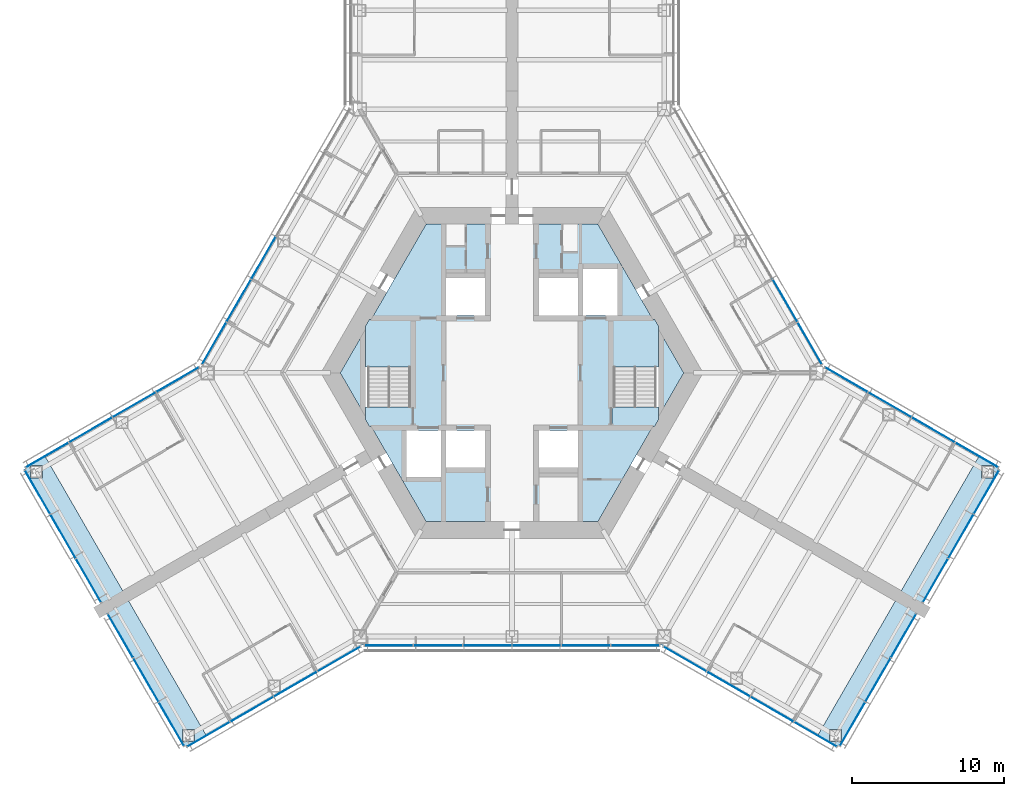
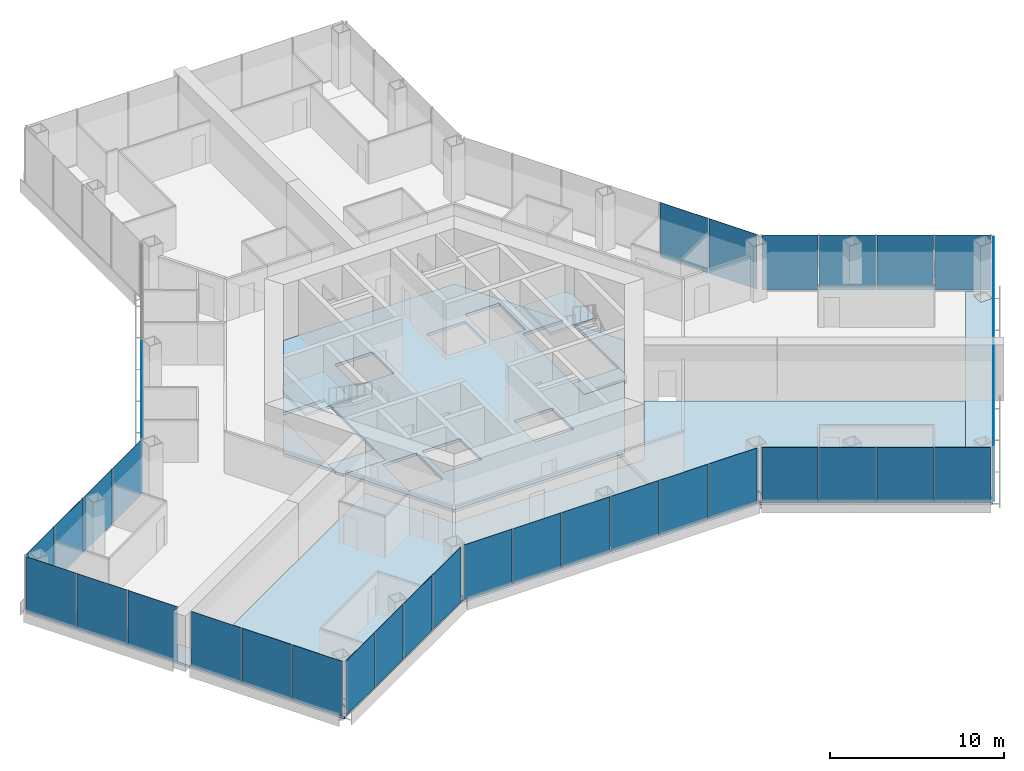
# One storey, part 10 of 18: 39 plates, 10 slabs, 13 elements without a shape of their own.
"""IFC4 building model written with IfcOpenShell, lengths in metres."""

from ifc_helpers import new_model, si_unit, direction, frame, origin, origin_2d, place, context, subcontext, project, spatial, polyline, rectangle, outline, extrude, material, layer, layer_set, type_object, element, aggregate, save


model = new_model("IFC4")

# Units and contexts
model_context = context("Model", 3, precision=1e-05, world=origin(), true_north=direction((0.0, 1.0)))
body_context = subcontext(model_context, "Body", "Model", "MODEL_VIEW")
ifc_project = project(units=[si_unit("LENGTHUNIT", "METRE"), si_unit("AREAUNIT", "SQUARE_METRE"), si_unit("VOLUMEUNIT", "CUBIC_METRE"), si_unit("PLANEANGLEUNIT", "RADIAN"), si_unit("MASSUNIT", "GRAM", prefix="KILO")], contexts=[model_context])

# Site, building, storey
site_placement = place(None, origin())
site = spatial("IfcSite", under=ifc_project, at=site_placement, CompositionType="ELEMENT")
building_placement = place(site_placement, origin())
building = spatial("IfcBuilding", under=site, at=building_placement, Name="Kasaneha Research Tower", CompositionType="ELEMENT")
storey_placement = place(building_placement, frame((0.0, 0.0, 61.199951171875)))
storey = spatial("IfcBuildingStorey", under=building, at=storey_placement, Name="L15", CompositionType="ELEMENT", Elevation=61.199951171875)

# Curtain wall, plates
ifc_material_1 = material(Name="Glass and aluminium", Category="aluminium")
curtain_wall_type = type_object("IfcCurtainWallType", Name="Low-rise office curtain wall", PredefinedType="USERDEFINED", material=ifc_material_1)
curtain_wall_1_placement = place(storey_placement, origin())
curtain_wall_1 = element("IfcCurtainWall", 1, at=curtain_wall_1_placement, inside=storey, type_object=curtain_wall_type, Name="CW-O1 L15 run 01a", ObjectType="UNITISED CURTAIN WALL", PredefinedType="USERDEFINED")
ifc_material_2 = material(Name="Laminated double glazing", Category="glass")
ifc_layer_1 = layer(ifc_material_2, 0.028076171875)
ifc_layer_set_1 = layer_set([ifc_layer_1], Name="CW-O1 glazed panel")
plate_type = type_object("IfcPlateType", Name="CW-O1 glazed panel", PredefinedType="CURTAIN_PANEL", material=ifc_layer_set_1)
plate_1_placement = place(storey_placement, frame((-19.945068359375, -23.755126953125, 0.06005859375), z_axis=(0.0, 0.0, 1.0), x_axis=(0.866025411464, 0.499999986699, 0.0)))
plate_1 = element("IfcPlate", 2, at=plate_1_placement, type_object=plate_type, Name="CW-O1 panel 1", PredefinedType="CURTAIN_PANEL", context=body_context, shape_type="SweptSolid", body=[
    extrude(rectangle(XDim=3.2197265625, YDim=0.028076171875, at=origin_2d()), origin(), (0.0, 0.0, 1.0), 3.840087890625),
])
plate_2_placement = place(storey_placement, frame((-17.091796875, -22.107666015625, 0.06005859375), z_axis=(0.0, 0.0, 1.0), x_axis=(0.866025411464, 0.499999986699, 0.0)))
plate_2 = element("IfcPlate", 3, at=plate_2_placement, type_object=plate_type, Name="CW-O1 panel 2", PredefinedType="CURTAIN_PANEL", context=body_context, shape_type="SweptSolid", body=[
    extrude(rectangle(XDim=3.249755859375, YDim=0.028076171875, at=origin_2d()), origin(), (0.0, 0.0, 1.0), 3.840087890625),
])
plate_3_placement = place(storey_placement, frame((-14.225341796875, -20.452880859375, 0.06005859375), z_axis=(0.0, 0.0, 1.0), x_axis=(0.866025411464, 0.499999986699, 0.0)))
plate_3 = element("IfcPlate", 4, at=plate_3_placement, type_object=plate_type, Name="CW-O1 panel 3", PredefinedType="CURTAIN_PANEL", context=body_context, shape_type="SweptSolid", body=[
    extrude(rectangle(XDim=3.249755859375, YDim=0.028076171875, at=origin_2d()), origin(), (0.0, 0.0, 1.0), 3.840087890625),
])
plate_4_placement = place(storey_placement, frame((-11.3720703125, -18.805419921875, 0.06005859375), z_axis=(0.0, 0.0, 1.0), x_axis=(0.866025411464, 0.499999986699, 0.0)))
plate_4 = element("IfcPlate", 5, at=plate_4_placement, type_object=plate_type, Name="CW-O1 panel 4", PredefinedType="CURTAIN_PANEL", context=body_context, shape_type="SweptSolid", body=[
    extrude(rectangle(XDim=3.2197265625, YDim=0.028076171875, at=origin_2d()), origin(), (0.0, 0.0, 1.0), 3.840087890625),
])
aggregate(curtain_wall_1, [plate_1, plate_2, plate_3, plate_4])

curtain_wall_2_placement = place(storey_placement, origin())
curtain_wall_2 = element("IfcCurtainWall", 6, at=curtain_wall_2_placement, inside=storey, type_object=curtain_wall_type, Name="CW-O1 L15 run 02a", ObjectType="UNITISED CURTAIN WALL", PredefinedType="USERDEFINED")
plate_5_placement = place(storey_placement, frame((-8.10107421875, -17.92041015625, 0.06005859375), z_axis=(0.0, 0.0, 1.0), x_axis=(1.0, 0.0, 0.0)))
plate_5 = element("IfcPlate", 7, at=plate_5_placement, type_object=plate_type, Name="CW-O1 panel 1", PredefinedType="CURTAIN_PANEL", context=body_context, shape_type="SweptSolid", body=[
    extrude(rectangle(XDim=3.156494140625, YDim=0.028076171875, at=origin_2d()), origin(), (0.0, 0.0, 1.0), 3.840087890625),
])
plate_6_placement = place(storey_placement, frame((-4.86962890625, -17.92041015625, 0.06005859375), z_axis=(0.0, 0.0, 1.0), x_axis=(1.0, 0.0, 0.0)))
plate_6 = element("IfcPlate", 8, at=plate_6_placement, type_object=plate_type, Name="CW-O1 panel 2", PredefinedType="CURTAIN_PANEL", context=body_context, shape_type="SweptSolid", body=[
    extrude(rectangle(XDim=3.1865234375, YDim=0.028076171875, at=origin_2d()), origin(), (0.0, 0.0, 1.0), 3.840087890625),
])
plate_7_placement = place(storey_placement, frame((-1.623291015625, -17.92041015625, 0.06005859375), z_axis=(0.0, 0.0, 1.0), x_axis=(1.0, 0.0, 0.0)))
plate_7 = element("IfcPlate", 9, at=plate_7_placement, type_object=plate_type, Name="CW-O1 panel 3", PredefinedType="CURTAIN_PANEL", context=body_context, shape_type="SweptSolid", body=[
    extrude(rectangle(XDim=3.1865234375, YDim=0.028076171875, at=origin_2d()), origin(), (0.0, 0.0, 1.0), 3.840087890625),
])
plate_8_placement = place(storey_placement, frame((1.623291015625, -17.92041015625, 0.06005859375), z_axis=(0.0, 0.0, 1.0), x_axis=(1.0, 0.0, 0.0)))
plate_8 = element("IfcPlate", 10, at=plate_8_placement, type_object=plate_type, Name="CW-O1 panel 4", PredefinedType="CURTAIN_PANEL", context=body_context, shape_type="SweptSolid", body=[
    extrude(rectangle(XDim=3.1865234375, YDim=0.028076171875, at=origin_2d()), origin(), (0.0, 0.0, 1.0), 3.840087890625),
])
plate_9_placement = place(storey_placement, frame((4.86962890625, -17.92041015625, 0.06005859375), z_axis=(0.0, 0.0, 1.0), x_axis=(1.0, 0.0, 0.0)))
plate_9 = element("IfcPlate", 11, at=plate_9_placement, type_object=plate_type, Name="CW-O1 panel 5", PredefinedType="CURTAIN_PANEL", context=body_context, shape_type="SweptSolid", body=[
    extrude(rectangle(XDim=3.1865234375, YDim=0.028076171875, at=origin_2d()), origin(), (0.0, 0.0, 1.0), 3.840087890625),
])
plate_10_placement = place(storey_placement, frame((8.10107421875, -17.92041015625, 0.06005859375), z_axis=(0.0, 0.0, 1.0), x_axis=(1.0, 0.0, 0.0)))
plate_10 = element("IfcPlate", 12, at=plate_10_placement, type_object=plate_type, Name="CW-O1 panel 6", PredefinedType="CURTAIN_PANEL", context=body_context, shape_type="SweptSolid", body=[
    extrude(rectangle(XDim=3.156494140625, YDim=0.028076171875, at=origin_2d()), origin(), (0.0, 0.0, 1.0), 3.840087890625),
])
aggregate(curtain_wall_2, [plate_5, plate_6, plate_7, plate_8, plate_9, plate_10])

curtain_wall_3_placement = place(storey_placement, origin())
curtain_wall_3 = element("IfcCurtainWall", 13, at=curtain_wall_3_placement, inside=storey, type_object=curtain_wall_type, Name="CW-O1 L15 run 03a", ObjectType="UNITISED CURTAIN WALL", PredefinedType="USERDEFINED")
plate_11_placement = place(storey_placement, frame((11.3720703125, -18.805419921875, 0.06005859375), z_axis=(0.0, 0.0, 1.0), x_axis=(0.866025411464, -0.499999986699, 0.0)))
plate_11 = element("IfcPlate", 14, at=plate_11_placement, type_object=plate_type, Name="CW-O1 panel 1", PredefinedType="CURTAIN_PANEL", context=body_context, shape_type="SweptSolid", body=[
    extrude(rectangle(XDim=3.2197265625, YDim=0.028076171875, at=origin_2d()), origin(), (0.0, 0.0, 1.0), 3.840087890625),
])
plate_12_placement = place(storey_placement, frame((14.225341796875, -20.452880859375, 0.06005859375), z_axis=(0.0, 0.0, 1.0), x_axis=(0.866025411464, -0.499999986699, 0.0)))
plate_12 = element("IfcPlate", 15, at=plate_12_placement, type_object=plate_type, Name="CW-O1 panel 2", PredefinedType="CURTAIN_PANEL", context=body_context, shape_type="SweptSolid", body=[
    extrude(rectangle(XDim=3.249755859375, YDim=0.028076171875, at=origin_2d()), origin(), (0.0, 0.0, 1.0), 3.840087890625),
])
plate_13_placement = place(storey_placement, frame((17.091796875, -22.107666015625, 0.06005859375), z_axis=(0.0, 0.0, 1.0), x_axis=(0.866025411464, -0.499999986699, 0.0)))
plate_13 = element("IfcPlate", 16, at=plate_13_placement, type_object=plate_type, Name="CW-O1 panel 3", PredefinedType="CURTAIN_PANEL", context=body_context, shape_type="SweptSolid", body=[
    extrude(rectangle(XDim=3.249755859375, YDim=0.028076171875, at=origin_2d()), origin(), (0.0, 0.0, 1.0), 3.840087890625),
])
plate_14_placement = place(storey_placement, frame((19.945068359375, -23.755126953125, 0.06005859375), z_axis=(0.0, 0.0, 1.0), x_axis=(0.866025411464, -0.499999986699, 0.0)))
plate_14 = element("IfcPlate", 17, at=plate_14_placement, type_object=plate_type, Name="CW-O1 panel 4", PredefinedType="CURTAIN_PANEL", context=body_context, shape_type="SweptSolid", body=[
    extrude(rectangle(XDim=3.2197265625, YDim=0.028076171875, at=origin_2d()), origin(), (0.0, 0.0, 1.0), 3.840087890625),
])
aggregate(curtain_wall_3, [plate_11, plate_12, plate_13, plate_14])

curtain_wall_4_placement = place(storey_placement, origin())
curtain_wall_4 = element("IfcCurtainWall", 18, at=curtain_wall_4_placement, inside=storey, type_object=curtain_wall_type, Name="CW-O1 L15 run 04a", ObjectType="UNITISED CURTAIN WALL", PredefinedType="USERDEFINED")
plate_15_placement = place(storey_placement, frame((22.377197265625, -23.082763671875, 0.06005859375), z_axis=(0.0, 0.0, 1.0), x_axis=(0.500000011442, 0.866025397178, 0.0)))
plate_15 = element("IfcPlate", 19, at=plate_15_placement, type_object=plate_type, Name="CW-O1 panel 1", PredefinedType="CURTAIN_PANEL", context=body_context, shape_type="SweptSolid", body=[
    extrude(rectangle(XDim=3.276611328125, YDim=0.028076171875, at=origin_2d()), origin(), (0.0, 0.0, 1.0), 3.840087890625),
])
plate_16_placement = place(storey_placement, frame((24.052978515625, -20.18017578125, 0.06005859375), z_axis=(0.0, 0.0, 1.0), x_axis=(0.500000011442, 0.866025397178, 0.0)))
plate_16 = element("IfcPlate", 20, at=plate_16_placement, type_object=plate_type, Name="CW-O1 panel 2", PredefinedType="CURTAIN_PANEL", context=body_context, shape_type="SweptSolid", body=[
    extrude(rectangle(XDim=3.306640625, YDim=0.028076171875, at=origin_2d()), origin(), (0.0, 0.0, 1.0), 3.840087890625),
])
plate_17_placement = place(storey_placement, frame((25.728759765625, -17.27734375, 0.06005859375), z_axis=(0.0, 0.0, 1.0), x_axis=(0.500000011442, 0.866025397178, 0.0)))
plate_17 = element("IfcPlate", 21, at=plate_17_placement, type_object=plate_type, Name="CW-O1 panel 3", PredefinedType="CURTAIN_PANEL", context=body_context, shape_type="SweptSolid", body=[
    extrude(rectangle(XDim=3.276611328125, YDim=0.028076171875, at=origin_2d()), origin(), (0.0, 0.0, 1.0), 3.840087890625),
])
aggregate(curtain_wall_4, [plate_15, plate_16, plate_17])

curtain_wall_5_placement = place(storey_placement, origin())
curtain_wall_5 = element("IfcCurtainWall", 22, at=curtain_wall_5_placement, inside=storey, type_object=curtain_wall_type, Name="CW-O1 L15 run 05a", ObjectType="UNITISED CURTAIN WALL", PredefinedType="USERDEFINED")
plate_18_placement = place(storey_placement, frame((27.8271484375, -13.64306640625, 0.06005859375), z_axis=(0.0, 0.0, 1.0), x_axis=(0.500000011442, 0.866025397178, 0.0)))
plate_18 = element("IfcPlate", 23, at=plate_18_placement, type_object=plate_type, Name="CW-O1 panel 1", PredefinedType="CURTAIN_PANEL", context=body_context, shape_type="SweptSolid", body=[
    extrude(rectangle(XDim=3.276611328125, YDim=0.028076171875, at=origin_2d()), origin(), (0.0, 0.0, 1.0), 3.840087890625),
])
plate_19_placement = place(storey_placement, frame((29.5029296875, -10.740478515625, 0.06005859375), z_axis=(0.0, 0.0, 1.0), x_axis=(0.500000011442, 0.866025397178, 0.0)))
plate_19 = element("IfcPlate", 24, at=plate_19_placement, type_object=plate_type, Name="CW-O1 panel 2", PredefinedType="CURTAIN_PANEL", context=body_context, shape_type="SweptSolid", body=[
    extrude(rectangle(XDim=3.306640625, YDim=0.028076171875, at=origin_2d()), origin(), (0.0, 0.0, 1.0), 3.840087890625),
])
plate_20_placement = place(storey_placement, frame((31.1787109375, -7.837890625, 0.06005859375), z_axis=(0.0, 0.0, 1.0), x_axis=(0.500000011442, 0.866025397178, 0.0)))
plate_20 = element("IfcPlate", 25, at=plate_20_placement, type_object=plate_type, Name="CW-O1 panel 3", PredefinedType="CURTAIN_PANEL", context=body_context, shape_type="SweptSolid", body=[
    extrude(rectangle(XDim=3.276611328125, YDim=0.028076171875, at=origin_2d()), origin(), (0.0, 0.0, 1.0), 3.840087890625),
])
aggregate(curtain_wall_5, [plate_18, plate_19, plate_20])

curtain_wall_6_placement = place(storey_placement, origin())
curtain_wall_6 = element("IfcCurtainWall", 26, at=curtain_wall_6_placement, inside=storey, type_object=curtain_wall_type, Name="CW-O1 L15 run 06a", ObjectType="UNITISED CURTAIN WALL", PredefinedType="USERDEFINED")
plate_21_placement = place(storey_placement, frame((30.545166015625, -5.3955078125, 0.06005859375), z_axis=(0.0, 0.0, 1.0), x_axis=(-0.866025411464, 0.499999986699, 0.0)))
plate_21 = element("IfcPlate", 27, at=plate_21_placement, type_object=plate_type, Name="CW-O1 panel 1", PredefinedType="CURTAIN_PANEL", context=body_context, shape_type="SweptSolid", body=[
    extrude(rectangle(XDim=3.2197265625, YDim=0.028076171875, at=origin_2d()), origin(), (0.0, 0.0, 1.0), 3.840087890625),
])
plate_22_placement = place(storey_placement, frame((27.69189453125, -3.748046875, 0.06005859375), z_axis=(0.0, 0.0, 1.0), x_axis=(-0.866025411464, 0.499999986699, 0.0)))
plate_22 = element("IfcPlate", 28, at=plate_22_placement, type_object=plate_type, Name="CW-O1 panel 2", PredefinedType="CURTAIN_PANEL", context=body_context, shape_type="SweptSolid", body=[
    extrude(rectangle(XDim=3.249755859375, YDim=0.028076171875, at=origin_2d()), origin(), (0.0, 0.0, 1.0), 3.840087890625),
])
plate_23_placement = place(storey_placement, frame((24.825439453125, -2.093017578125, 0.06005859375), z_axis=(0.0, 0.0, 1.0), x_axis=(-0.866025411464, 0.499999986699, 0.0)))
plate_23 = element("IfcPlate", 29, at=plate_23_placement, type_object=plate_type, Name="CW-O1 panel 3", PredefinedType="CURTAIN_PANEL", context=body_context, shape_type="SweptSolid", body=[
    extrude(rectangle(XDim=3.249755859375, YDim=0.028076171875, at=origin_2d()), origin(), (0.0, 0.0, 1.0), 3.840087890625),
])
plate_24_placement = place(storey_placement, frame((21.971923828125, -0.44580078125, 0.06005859375), z_axis=(0.0, 0.0, 1.0), x_axis=(-0.866025411464, 0.499999986699, 0.0)))
plate_24 = element("IfcPlate", 30, at=plate_24_placement, type_object=plate_type, Name="CW-O1 panel 4", PredefinedType="CURTAIN_PANEL", context=body_context, shape_type="SweptSolid", body=[
    extrude(rectangle(XDim=3.2197265625, YDim=0.028076171875, at=origin_2d()), origin(), (0.0, 0.0, 1.0), 3.840087890625),
])
aggregate(curtain_wall_6, [plate_21, plate_22, plate_23, plate_24])

curtain_wall_7_placement = place(storey_placement, origin())
curtain_wall_7 = element("IfcCurtainWall", 31, at=curtain_wall_7_placement, inside=storey, type_object=curtain_wall_type, Name="CW-O1 L15 run 07a", ObjectType="UNITISED CURTAIN WALL", PredefinedType="USERDEFINED")
plate_25_placement = place(storey_placement, frame((19.570068359375, 1.944580078125, 0.06005859375), z_axis=(0.0, 0.0, 1.0), x_axis=(-0.49999996188, 0.866025425793, 0.0)))
plate_25 = element("IfcPlate", 32, at=plate_25_placement, type_object=plate_type, Name="CW-O1 panel 1", PredefinedType="CURTAIN_PANEL", context=body_context, shape_type="SweptSolid", body=[
    extrude(rectangle(XDim=3.156494140625, YDim=0.028076171875, at=origin_2d()), origin(), (0.0, 0.0, 1.0), 3.840087890625),
])
plate_26_placement = place(storey_placement, frame((17.954345703125, 4.7431640625, 0.06005859375), z_axis=(0.0, 0.0, 1.0), x_axis=(-0.49999996188, 0.866025425793, 0.0)))
plate_26 = element("IfcPlate", 33, at=plate_26_placement, type_object=plate_type, Name="CW-O1 panel 2", PredefinedType="CURTAIN_PANEL", context=body_context, shape_type="SweptSolid", body=[
    extrude(rectangle(XDim=3.1865234375, YDim=0.028076171875, at=origin_2d()), origin(), (0.0, 0.0, 1.0), 3.840087890625),
])
aggregate(curtain_wall_7, [plate_25, plate_26])

curtain_wall_8_placement = place(storey_placement, origin())
curtain_wall_8 = element("IfcCurtainWall", 34, at=curtain_wall_8_placement, inside=storey, type_object=curtain_wall_type, Name="CW-O1 L15 run 12a", ObjectType="UNITISED CURTAIN WALL", PredefinedType="USERDEFINED")
plate_27_placement = place(storey_placement, frame((-16.331298828125, 7.554443359375, 0.06005859375), z_axis=(0.0, 0.0, 1.0), x_axis=(-0.49999996188, -0.866025425793, 0.0)))
plate_27 = element("IfcPlate", 35, at=plate_27_placement, type_object=plate_type, Name="CW-O1 panel 4", PredefinedType="CURTAIN_PANEL", context=body_context, shape_type="SweptSolid", body=[
    extrude(rectangle(XDim=3.1865234375, YDim=0.028076171875, at=origin_2d()), origin(), (0.0, 0.0, 1.0), 3.840087890625),
])
plate_28_placement = place(storey_placement, frame((-17.954345703125, 4.7431640625, 0.06005859375), z_axis=(0.0, 0.0, 1.0), x_axis=(-0.49999996188, -0.866025425793, 0.0)))
plate_28 = element("IfcPlate", 36, at=plate_28_placement, type_object=plate_type, Name="CW-O1 panel 5", PredefinedType="CURTAIN_PANEL", context=body_context, shape_type="SweptSolid", body=[
    extrude(rectangle(XDim=3.1865234375, YDim=0.028076171875, at=origin_2d()), origin(), (0.0, 0.0, 1.0), 3.840087890625),
])
plate_29_placement = place(storey_placement, frame((-19.570068359375, 1.944580078125, 0.06005859375), z_axis=(0.0, 0.0, 1.0), x_axis=(-0.49999996188, -0.866025425793, 0.0)))
plate_29 = element("IfcPlate", 37, at=plate_29_placement, type_object=plate_type, Name="CW-O1 panel 6", PredefinedType="CURTAIN_PANEL", context=body_context, shape_type="SweptSolid", body=[
    extrude(rectangle(XDim=3.156494140625, YDim=0.028076171875, at=origin_2d()), origin(), (0.0, 0.0, 1.0), 3.840087890625),
])
aggregate(curtain_wall_8, [plate_27, plate_28, plate_29])

curtain_wall_9_placement = place(storey_placement, origin())
curtain_wall_9 = element("IfcCurtainWall", 38, at=curtain_wall_9_placement, inside=storey, type_object=curtain_wall_type, Name="CW-O1 L15 run 13a", ObjectType="UNITISED CURTAIN WALL", PredefinedType="USERDEFINED")
plate_30_placement = place(storey_placement, frame((-21.971923828125, -0.44580078125, 0.06005859375), z_axis=(0.0, 0.0, 1.0), x_axis=(-0.866025411464, -0.499999986699, 0.0)))
plate_30 = element("IfcPlate", 39, at=plate_30_placement, type_object=plate_type, Name="CW-O1 panel 1", PredefinedType="CURTAIN_PANEL", context=body_context, shape_type="SweptSolid", body=[
    extrude(rectangle(XDim=3.2197265625, YDim=0.028076171875, at=origin_2d()), origin(), (0.0, 0.0, 1.0), 3.840087890625),
])
plate_31_placement = place(storey_placement, frame((-24.825439453125, -2.093017578125, 0.06005859375), z_axis=(0.0, 0.0, 1.0), x_axis=(-0.866025411464, -0.499999986699, 0.0)))
plate_31 = element("IfcPlate", 40, at=plate_31_placement, type_object=plate_type, Name="CW-O1 panel 2", PredefinedType="CURTAIN_PANEL", context=body_context, shape_type="SweptSolid", body=[
    extrude(rectangle(XDim=3.249755859375, YDim=0.028076171875, at=origin_2d()), origin(), (0.0, 0.0, 1.0), 3.840087890625),
])
plate_32_placement = place(storey_placement, frame((-27.69189453125, -3.748046875, 0.06005859375), z_axis=(0.0, 0.0, 1.0), x_axis=(-0.866025411464, -0.499999986699, 0.0)))
plate_32 = element("IfcPlate", 41, at=plate_32_placement, type_object=plate_type, Name="CW-O1 panel 3", PredefinedType="CURTAIN_PANEL", context=body_context, shape_type="SweptSolid", body=[
    extrude(rectangle(XDim=3.249755859375, YDim=0.028076171875, at=origin_2d()), origin(), (0.0, 0.0, 1.0), 3.840087890625),
])
plate_33_placement = place(storey_placement, frame((-30.545166015625, -5.3955078125, 0.06005859375), z_axis=(0.0, 0.0, 1.0), x_axis=(-0.866025411464, -0.499999986699, 0.0)))
plate_33 = element("IfcPlate", 42, at=plate_33_placement, type_object=plate_type, Name="CW-O1 panel 4", PredefinedType="CURTAIN_PANEL", context=body_context, shape_type="SweptSolid", body=[
    extrude(rectangle(XDim=3.2197265625, YDim=0.028076171875, at=origin_2d()), origin(), (0.0, 0.0, 1.0), 3.840087890625),
])
aggregate(curtain_wall_9, [plate_30, plate_31, plate_32, plate_33])

curtain_wall_10_placement = place(storey_placement, origin())
curtain_wall_10 = element("IfcCurtainWall", 43, at=curtain_wall_10_placement, inside=storey, type_object=curtain_wall_type, Name="CW-O1 L15 run 14a", ObjectType="UNITISED CURTAIN WALL", PredefinedType="USERDEFINED")
plate_34_placement = place(storey_placement, frame((-31.1787109375, -7.837890625, 0.06005859375), z_axis=(0.0, 0.0, 1.0), x_axis=(0.500000011442, -0.866025397178, 0.0)))
plate_34 = element("IfcPlate", 44, at=plate_34_placement, type_object=plate_type, Name="CW-O1 panel 1", PredefinedType="CURTAIN_PANEL", context=body_context, shape_type="SweptSolid", body=[
    extrude(rectangle(XDim=3.276611328125, YDim=0.028076171875, at=origin_2d()), origin(), (0.0, 0.0, 1.0), 3.840087890625),
])
plate_35_placement = place(storey_placement, frame((-29.5029296875, -10.740478515625, 0.06005859375), z_axis=(0.0, 0.0, 1.0), x_axis=(0.500000011442, -0.866025397178, 0.0)))
plate_35 = element("IfcPlate", 45, at=plate_35_placement, type_object=plate_type, Name="CW-O1 panel 2", PredefinedType="CURTAIN_PANEL", context=body_context, shape_type="SweptSolid", body=[
    extrude(rectangle(XDim=3.306640625, YDim=0.028076171875, at=origin_2d()), origin(), (0.0, 0.0, 1.0), 3.840087890625),
])
plate_36_placement = place(storey_placement, frame((-27.8271484375, -13.64306640625, 0.06005859375), z_axis=(0.0, 0.0, 1.0), x_axis=(0.500000011442, -0.866025397178, 0.0)))
plate_36 = element("IfcPlate", 46, at=plate_36_placement, type_object=plate_type, Name="CW-O1 panel 3", PredefinedType="CURTAIN_PANEL", context=body_context, shape_type="SweptSolid", body=[
    extrude(rectangle(XDim=3.276611328125, YDim=0.028076171875, at=origin_2d()), origin(), (0.0, 0.0, 1.0), 3.840087890625),
])
aggregate(curtain_wall_10, [plate_34, plate_35, plate_36])

curtain_wall_11_placement = place(storey_placement, origin())
curtain_wall_11 = element("IfcCurtainWall", 47, at=curtain_wall_11_placement, inside=storey, type_object=curtain_wall_type, Name="CW-O1 L15 run 15a", ObjectType="UNITISED CURTAIN WALL", PredefinedType="USERDEFINED")
plate_37_placement = place(storey_placement, frame((-25.728759765625, -17.27734375, 0.06005859375), z_axis=(0.0, 0.0, 1.0), x_axis=(0.500000011442, -0.866025397178, 0.0)))
plate_37 = element("IfcPlate", 48, at=plate_37_placement, type_object=plate_type, Name="CW-O1 panel 1", PredefinedType="CURTAIN_PANEL", context=body_context, shape_type="SweptSolid", body=[
    extrude(rectangle(XDim=3.276611328125, YDim=0.028076171875, at=origin_2d()), origin(), (0.0, 0.0, 1.0), 3.840087890625),
])
plate_38_placement = place(storey_placement, frame((-24.052978515625, -20.18017578125, 0.06005859375), z_axis=(0.0, 0.0, 1.0), x_axis=(0.500000011442, -0.866025397178, 0.0)))
plate_38 = element("IfcPlate", 49, at=plate_38_placement, type_object=plate_type, Name="CW-O1 panel 2", PredefinedType="CURTAIN_PANEL", context=body_context, shape_type="SweptSolid", body=[
    extrude(rectangle(XDim=3.306640625, YDim=0.028076171875, at=origin_2d()), origin(), (0.0, 0.0, 1.0), 3.840087890625),
])
plate_39_placement = place(storey_placement, frame((-22.377197265625, -23.082763671875, 0.06005859375), z_axis=(0.0, 0.0, 1.0), x_axis=(0.500000011442, -0.866025397178, 0.0)))
plate_39 = element("IfcPlate", 50, at=plate_39_placement, type_object=plate_type, Name="CW-O1 panel 3", PredefinedType="CURTAIN_PANEL", context=body_context, shape_type="SweptSolid", body=[
    extrude(rectangle(XDim=3.276611328125, YDim=0.028076171875, at=origin_2d()), origin(), (0.0, 0.0, 1.0), 3.840087890625),
])
aggregate(curtain_wall_11, [plate_37, plate_38, plate_39])

# Slabs
ifc_material_3 = material(Name="Concrete Fc24", Category="concrete")
ifc_layer_2 = layer(ifc_material_3, 0.199951171875)
ifc_layer_set_2 = layer_set([ifc_layer_2], Name="Core floor slab 200")
slab_type_1 = type_object("IfcSlabType", Name="Core floor slab 200", PredefinedType="FLOOR", material=ifc_layer_set_2)
slab_1_placement = place(storey_placement, frame((0.0, 0.0, -0.199951171875)))
element("IfcSlab", 51, at=slab_1_placement, inside=storey, type_object=slab_type_1, Name="Core slab L15", PredefinedType="FLOOR", context=body_context, shape_type="SweptSolid", body=[
    extrude(outline(polyline([(-11.287109375, 0.0), (-9.625, 2.87890625), (-9.625, -2.87890625), (-11.287109375, 0.0)])), origin(), (0.0, 0.0, 1.0), 0.199951171875),
])
slab_2_placement = place(storey_placement, frame((0.0, 0.0, -0.199951171875)))
element("IfcSlab", 52, at=slab_2_placement, inside=storey, type_object=slab_type_1, Name="Core slab L15", PredefinedType="FLOOR", context=body_context, shape_type="SweptSolid", body=[
    extrude(outline(polyline([(-5.6435546875, 9.77490234375), (5.6435546875, 9.77490234375), (9.251953125, 3.52490234375), (6.574951171875, 3.52490234375), (6.574951171875, -3.52490234375), (9.251953125, -3.52490234375), (5.6435546875, -9.77490234375), (-5.6435546875, -9.77490234375), (-9.251953125, -3.52490234375), (-6.574951171875, -3.52490234375), (-6.574951171875, 3.52490234375), (-9.251953125, 3.52490234375), (-5.6435546875, 9.77490234375)]), holes=[polyline([(-6.925048828125, -3.77490234375), (-6.925048828125, -6.824951171875), (-4.675048828125, -6.824951171875), (-4.675048828125, -3.77490234375), (-6.925048828125, -3.77490234375)]), polyline([(-4.324951171875, -3.77490234375), (-4.324951171875, -6.22509765625), (-1.77490234375, -6.22509765625), (-1.77490234375, -3.77490234375), (-4.324951171875, -3.77490234375)]), polyline([(1.77490234375, -3.77490234375), (1.77490234375, -6.22509765625), (4.324951171875, -6.22509765625), (4.324951171875, -3.77490234375), (1.77490234375, -3.77490234375)]), polyline([(-4.324951171875, 6.22509765625), (-4.324951171875, 3.77490234375), (-1.77490234375, 3.77490234375), (-1.77490234375, 6.22509765625), (-4.324951171875, 6.22509765625)]), polyline([(1.77490234375, 6.22509765625), (1.77490234375, 3.77490234375), (4.324951171875, 3.77490234375), (4.324951171875, 6.22509765625), (1.77490234375, 6.22509765625)]), polyline([(4.675048828125, 6.824951171875), (4.675048828125, 3.77490234375), (6.925048828125, 3.77490234375), (6.925048828125, 6.824951171875), (4.675048828125, 6.824951171875)])]), origin(), (0.0, 0.0, 1.0), 0.199951171875),
])
slab_3_placement = place(storey_placement, frame((0.0, 0.0, -0.199951171875)))
element("IfcSlab", 53, at=slab_3_placement, inside=storey, type_object=slab_type_1, Name="Core slab L15", PredefinedType="FLOOR", context=body_context, shape_type="SweptSolid", body=[
    extrude(outline(polyline([(11.287109375, 0.0), (9.625, -2.87890625), (9.625, 2.87890625), (11.287109375, 0.0)])), origin(), (0.0, 0.0, 1.0), 0.199951171875),
])
ifc_material_4 = material(Name="Concrete Fc24", Category="concrete")
ifc_layer_3 = layer(ifc_material_4, 0.14990234375)
ifc_layer_set_3 = layer_set([ifc_layer_3], Name="Floor slab 150")
slab_type_2 = type_object("IfcSlabType", Name="Floor slab 150", PredefinedType="FLOOR", material=ifc_layer_set_3)
slab_4_placement = place(storey_placement, frame((0.0, 0.0, -0.14990234375)))
element("IfcSlab", 54, at=slab_4_placement, inside=storey, type_object=slab_type_2, Name="Floor slab L15 1", PredefinedType="FLOOR", context=body_context, shape_type="SweptSolid", body=[
    extrude(outline(polyline([(-25.1923828125, -15.006591796875), (-25.18359375, -15.001708984375), (-20.108642578125, -23.791748046875), (-21.459716796875, -24.57177734375), (-21.65576171875, -24.232177734375), (-21.644287109375, -24.220703125), (-20.858154296875, -24.220703125), (-20.858154296875, -23.42041015625), (-21.658447265625, -23.42041015625), (-21.658447265625, -24.20654296875), (-21.666015625, -24.214111328125), (-31.65576171875, -6.91162109375), (-31.644287109375, -6.900146484375), (-30.858154296875, -6.900146484375), (-30.858154296875, -6.099853515625), (-31.658447265625, -6.099853515625), (-31.658447265625, -6.885986328125), (-31.666015625, -6.8935546875), (-32.009521484375, -6.298583984375), (-30.65869140625, -5.518798828125), (-25.583740234375, -14.308837890625), (-25.59228515625, -14.313720703125), (-25.1923828125, -15.006591796875)])), origin(), (0.0, 0.0, 1.0), 0.14990234375),
])
slab_5_placement = place(storey_placement, frame((0.0, 0.0, -0.14990234375)))
element("IfcSlab", 55, at=slab_5_placement, inside=storey, type_object=slab_type_2, Name="Floor slab L15 4", PredefinedType="FLOOR", context=body_context, shape_type="SweptSolid", body=[
    extrude(outline(polyline([(-6.278564453125, -10.875), (6.278564453125, -10.875), (9.218017578125, -5.783935546875), (25.18359375, -15.001708984375), (20.108642578125, -23.791748046875), (14.369384765625, -20.478271484375), (14.377197265625, -20.470703125), (15.163330078125, -20.470703125), (15.163330078125, -19.67041015625), (14.363037109375, -19.67041015625), (14.363037109375, -20.45654296875), (14.3515625, -20.468017578125), (9.8525390625, -17.87060546875), (-9.8525390625, -17.87060546875), (-15.217529296875, -20.968017578125), (-15.22900390625, -20.95654296875), (-15.22900390625, -20.17041015625), (-16.029296875, -20.17041015625), (-16.029296875, -20.970703125), (-15.2431640625, -20.970703125), (-15.235595703125, -20.978271484375), (-20.108642578125, -23.791748046875), (-25.18359375, -15.001708984375), (-9.218017578125, -5.783935546875), (-6.278564453125, -10.875)]), holes=[polyline([(0.39990234375, -17.720458984375), (0.39990234375, -16.92041015625), (-0.39990234375, -16.92041015625), (-0.39990234375, -17.720458984375), (0.39990234375, -17.720458984375)]), polyline([(-9.550048828125, -16.87060546875), (-10.449951171875, -16.87060546875), (-10.449951171875, -17.7705078125), (-9.550048828125, -17.7705078125), (-9.550048828125, -16.87060546875)]), polyline([(10.449951171875, -16.87060546875), (9.550048828125, -16.87060546875), (9.550048828125, -17.7705078125), (10.449951171875, -17.7705078125), (10.449951171875, -16.87060546875)])]), origin(), (0.0, 0.0, 1.0), 0.14990234375),
])
slab_6_placement = place(storey_placement, frame((0.0, 0.0, -0.14990234375)))
element("IfcSlab", 56, at=slab_6_placement, inside=storey, type_object=slab_type_2, Name="Floor slab L15 6", PredefinedType="FLOOR", context=body_context, shape_type="SweptSolid", body=[
    extrude(outline(polyline([(25.1923828125, -15.006591796875), (25.59228515625, -14.313720703125), (25.583740234375, -14.308837890625), (30.65869140625, -5.518798828125), (32.009521484375, -6.298583984375), (31.666015625, -6.8935546875), (31.658447265625, -6.885986328125), (31.658447265625, -6.099853515625), (30.858154296875, -6.099853515625), (30.858154296875, -6.900146484375), (31.644287109375, -6.900146484375), (31.65576171875, -6.91162109375), (21.666015625, -24.214111328125), (21.658447265625, -24.20654296875), (21.658447265625, -23.42041015625), (20.858154296875, -23.42041015625), (20.858154296875, -24.220703125), (21.644287109375, -24.220703125), (21.65576171875, -24.232177734375), (21.459716796875, -24.57177734375), (20.108642578125, -23.791748046875), (25.18359375, -15.001708984375), (25.1923828125, -15.006591796875)])), origin(), (0.0, 0.0, 1.0), 0.14990234375),
])

# Stair, slabs
ifc_material_5 = material(Name="Concrete Fc24", Category="concrete")
stair_type = type_object("IfcStairType", Name="Half-turn stair 22 risers", PredefinedType="HALF_TURN_STAIR", material=ifc_material_5)
stair_1_placement = place(storey_placement, origin())
stair_1 = element("IfcStair", 57, at=stair_1_placement, inside=storey, type_object=stair_type, Name="Stair 1 L15", PredefinedType="HALF_TURN_STAIR")
ifc_material_6 = material(Name="Concrete Fc24", Category="concrete")
ifc_layer_4 = layer(ifc_material_6, 0.199951171875)
ifc_layer_set_4 = layer_set([ifc_layer_4], Name="Stair 1 landing 200")
slab_type_3 = type_object("IfcSlabType", Name="Stair 1 landing 200", PredefinedType="LANDING", material=ifc_layer_set_4)
slab_7_placement = place(storey_placement, frame((0.0, 0.0, -0.199951171875)))
slab_7 = element("IfcSlab", 58, at=slab_7_placement, type_object=slab_type_3, Name="ST1-22R landing 1", PredefinedType="LANDING", context=body_context, shape_type="SweptSolid", body=[
    extrude(outline(polyline([(9.367431640625, -3.52490234375), (6.574951171875, -3.52490234375), (6.574951171875, -2.22509765625), (9.625, -2.22509765625), (9.625, -3.0791015625), (9.367431640625, -3.52490234375)])), origin(), (0.0, 0.0, 1.0), 0.199951171875),
])
slab_8_placement = place(storey_placement, frame((0.0, 0.0, 1.75)))
slab_8 = element("IfcSlab", 59, at=slab_8_placement, type_object=slab_type_3, Name="ST1-22R landing 2", PredefinedType="LANDING", context=body_context, shape_type="SweptSolid", body=[
    extrude(outline(polyline([(6.574951171875, 3.52490234375), (9.367431640625, 3.52490234375), (9.625, 3.0791015625), (9.625, 0.375), (6.574951171875, 0.375), (6.574951171875, 3.52490234375)])), origin(), (0.0, 0.0, 1.0), 0.199951171875),
])
aggregate(stair_1, [slab_7, slab_8])

stair_2_placement = place(storey_placement, origin())
stair_2 = element("IfcStair", 60, at=stair_2_placement, inside=storey, type_object=stair_type, Name="Stair 2 L15", PredefinedType="HALF_TURN_STAIR")
ifc_material_7 = material(Name="Concrete Fc24", Category="concrete")
ifc_layer_5 = layer(ifc_material_7, 0.199951171875)
ifc_layer_set_5 = layer_set([ifc_layer_5], Name="Stair 2 landing 200")
slab_type_4 = type_object("IfcSlabType", Name="Stair 2 landing 200", PredefinedType="LANDING", material=ifc_layer_set_5)
slab_9_placement = place(storey_placement, frame((0.0, 0.0, -0.199951171875)))
slab_9 = element("IfcSlab", 61, at=slab_9_placement, type_object=slab_type_4, Name="ST2-22R landing 1", PredefinedType="LANDING", context=body_context, shape_type="SweptSolid", body=[
    extrude(outline(polyline([(-6.574951171875, -3.52490234375), (-9.367431640625, -3.52490234375), (-9.625, -3.0791015625), (-9.625, -2.22509765625), (-6.574951171875, -2.22509765625), (-6.574951171875, -3.52490234375)])), origin(), (0.0, 0.0, 1.0), 0.199951171875),
])
slab_10_placement = place(storey_placement, frame((0.0, 0.0, 1.75)))
slab_10 = element("IfcSlab", 62, at=slab_10_placement, type_object=slab_type_4, Name="ST2-22R landing 2", PredefinedType="LANDING", context=body_context, shape_type="SweptSolid", body=[
    extrude(outline(polyline([(-6.574951171875, 0.375), (-9.625, 0.375), (-9.625, 3.0791015625), (-9.367431640625, 3.52490234375), (-6.574951171875, 3.52490234375), (-6.574951171875, 0.375)])), origin(), (0.0, 0.0, 1.0), 0.199951171875),
])
aggregate(stair_2, [slab_9, slab_10])

save(model, "model.ifc")
